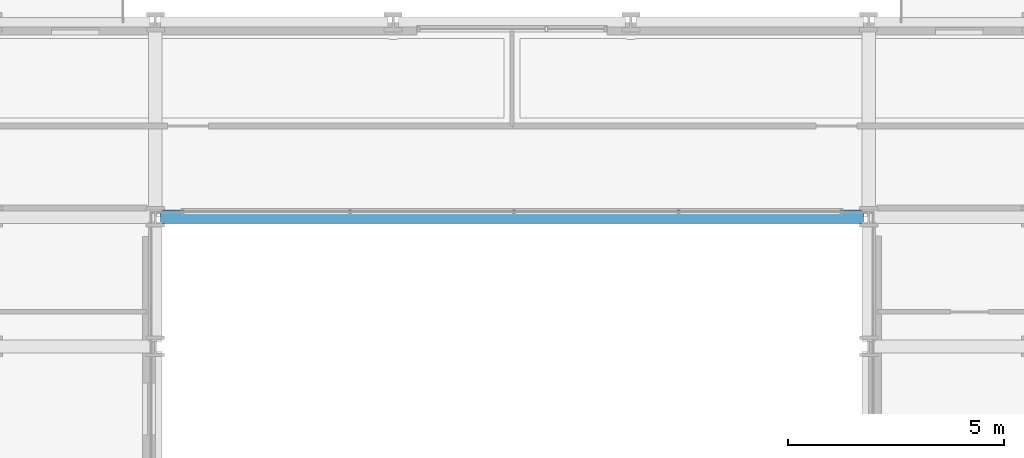
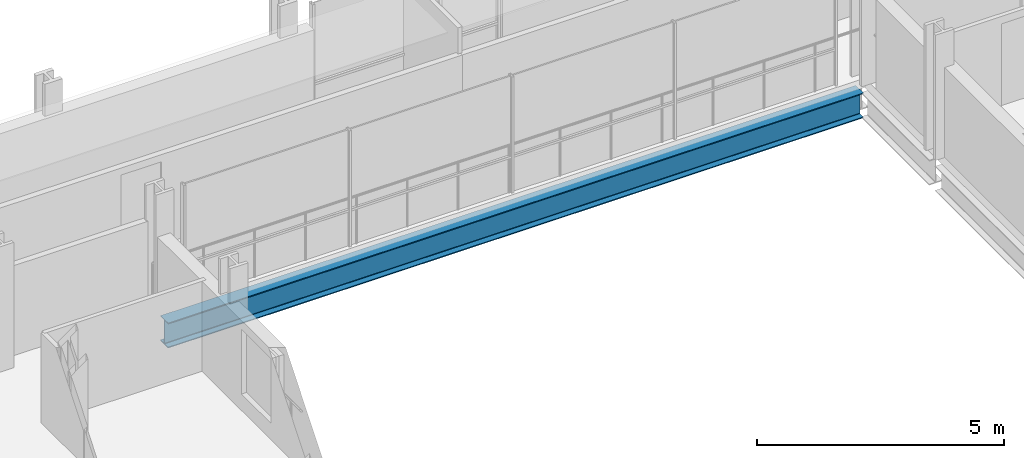
# One storey, part 10 of 39: 1 beam.
"""IFC4 building model written with IfcOpenShell, lengths in metres."""

from ifc_helpers import new_model, si_unit, direction, frame, origin, origin_2d, place, context, subcontext, project, spatial, i_section, extrude, material, material_profile, profile_set, type_object, element, save


model = new_model("IFC4")

# Units and contexts
model_context = context("Model", 3, precision=1e-05, world=origin(), true_north=direction((0.0, 1.0)))
body_context = subcontext(model_context, "Body", "Model", "MODEL_VIEW")
ifc_project = project(units=[si_unit("LENGTHUNIT", "METRE"), si_unit("AREAUNIT", "SQUARE_METRE"), si_unit("VOLUMEUNIT", "CUBIC_METRE"), si_unit("PLANEANGLEUNIT", "RADIAN"), si_unit("MASSUNIT", "GRAM", prefix="KILO")], contexts=[model_context])

# Site, building, storey
site_placement = place(None, origin())
site = spatial("IfcSite", under=ifc_project, at=site_placement, CompositionType="ELEMENT")
building_placement = place(site_placement, origin())
building = spatial("IfcBuilding", under=site, at=building_placement, Name="Brevholm Reach", CompositionType="ELEMENT")
storey_placement = place(building_placement, frame((0.0, 0.0, 40.39990234375)))
storey = spatial("IfcBuildingStorey", under=building, at=storey_placement, Name="L10", CompositionType="ELEMENT", Elevation=40.39990234375)

# Beam
ifc_material = material(Name="Structural Steel S355J2", Category="steel")
ifc_material_profile = material_profile(ifc_material, i_section(OverallWidth=0.30712890625, OverallDepth=0.6201171875, WebThickness=0.01416015625, FlangeThickness=0.023681640625, FilletRadius=0.0166015625, at=origin_2d()), Name="UKB 610x305x179")
ifc_profile_set = profile_set([ifc_material_profile], Name="Structural Steel S355J2")
beam_type = type_object("IfcBeamType", Name="BM-UKB610H", PredefinedType="USERDEFINED", material=ifc_profile_set)
beam_placement = place(storey_placement, frame((21.8701171875, 26.5, -0.5400390625), z_axis=(1.0, 0.0, 0.0), x_axis=(0.0, 1.0, 0.0)))
element("IfcBeam", 1, at=beam_placement, inside=storey, type_object=beam_type, Name="L10 G-06 Framing Beam", ObjectType="GIRDER", PredefinedType="USERDEFINED", context=body_context, shape_type="SweptSolid", body=[
    extrude(i_section(OverallWidth=0.30712890625, OverallDepth=0.6201171875, WebThickness=0.01416015625, FlangeThickness=0.023681640625, FilletRadius=0.0166015625, at=origin_2d()), origin(), (0.0, 0.0, 1.0), 16.259765625),
])

save(model, "model.ifc")
